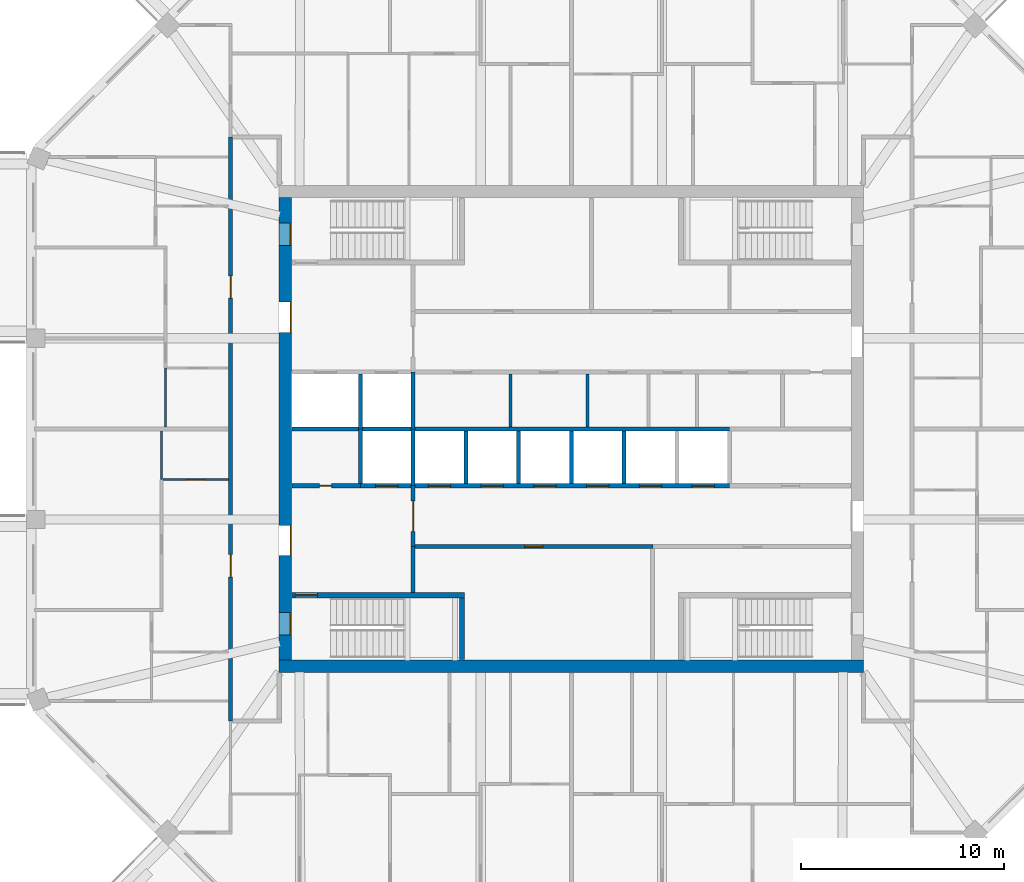
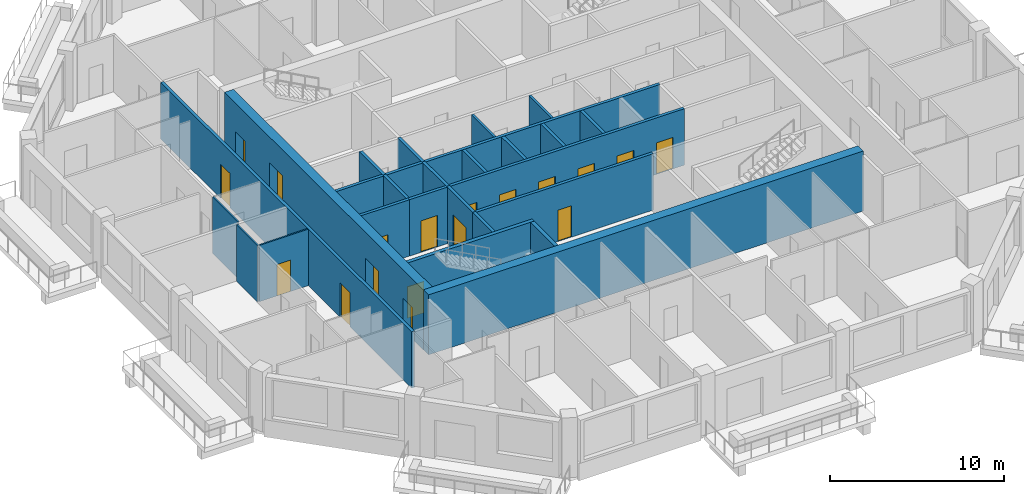
# One storey, part 4 of 12: 24 walls, 18 doors, 18 openings.
"""IFC4 building model written with IfcOpenShell, lengths in metres."""

import ifcopenshell
import ifcopenshell.guid

model = None  # the IFC model being written
_history = None  # IfcOwnerHistory: only IFC2X3 demands one
_inside = {}  # id of a spatial element -> (the spatial element, [elements in it])
_under = {}  # id of a project, library or spatial element -> (it, [spatial elements below it])
_declared = {}  # id of a project -> (the project, [libraries it declares])
_typed = {}  # id of a type object -> (the type object, [elements of that type])
_made_of = {}  # id of a material, layer set ... -> (it, [elements and type objects made of it])


def new_model(schema):
    """Start an empty IFC model of exactly this schema.

    Asked for "IFC4X3", IfcOpenShell would pick the latest addendum, in which some entities
    have other attributes; the version numbers below select the first issue.
    IFC2X3 requires an IfcOwnerHistory on every rooted entity: one is made here for all.
    """
    global model, _history
    if schema == "IFC4X3":
        model = ifcopenshell.file(schema_version=(4, 3, 0, 0))
    else:
        model = ifcopenshell.file(schema=schema)
    _inside.clear()
    _under.clear()
    _declared.clear()
    _typed.clear()
    _made_of.clear()
    _history = None
    if model.schema == "IFC2X3":
        org = make("IfcOrganization", Name="unknown")
        user = make(
            "IfcPersonAndOrganization",
            ThePerson=make("IfcPerson", FamilyName="unknown"),
            TheOrganization=org,
        )
        app = make(
            "IfcApplication",
            ApplicationDeveloper=org,
            Version="unknown",
            ApplicationFullName="unknown",
            ApplicationIdentifier="unknown",
        )
        _history = make(
            "IfcOwnerHistory",
            OwningUser=user,
            OwningApplication=app,
            ChangeAction="ADDED",
            CreationDate=0,
        )
    return model


def make(cls, **values):
    """One entity of the class cls with the attributes given. An attribute that is None is left unset."""
    return model.create_entity(
        cls, **{name: value for name, value in values.items() if value is not None}
    )


def rooted(cls, **values):
    """An entity with a GlobalId (a new one), such as an element, a storey or a relation."""
    return make(cls, GlobalId=ifcopenshell.guid.new(), OwnerHistory=_history, **values)


def si_unit(unit_type, name, prefix=None):
    """IfcSIUnit, for example si_unit("LENGTHUNIT", "METRE", prefix="MILLI")."""
    return make("IfcSIUnit", UnitType=unit_type, Prefix=prefix, Name=name)


def assignment(units):
    """IfcUnitAssignment: the units of a project."""
    return None if units is None else make("IfcUnitAssignment", Units=units)


def point(xyz):
    """IfcCartesianPoint."""
    return None if xyz is None else make("IfcCartesianPoint", Coordinates=xyz)


def direction(xyz):
    """IfcDirection."""
    return None if xyz is None else make("IfcDirection", DirectionRatios=xyz)


def frame(location, z_axis=None, x_axis=None):
    """IfcAxis2Placement3D, a coordinate frame: its origin and axes. An axis left out is left unset."""
    return make(
        "IfcAxis2Placement3D",
        Location=point(location),
        Axis=direction(z_axis),
        RefDirection=direction(x_axis),
    )


def frame_2d(location, x_axis=None):
    """IfcAxis2Placement2D, a coordinate frame in the plane: its origin and x axis."""
    return make(
        "IfcAxis2Placement2D", Location=point(location), RefDirection=direction(x_axis)
    )


def origin():
    """The frame at (0, 0, 0) with its axes left unset."""
    return frame((0.0, 0.0, 0.0))


def place(relative_to, where):
    """IfcLocalPlacement: puts the frame where relative to a parent placement (None: the world)."""
    return make(
        "IfcLocalPlacement", PlacementRelTo=relative_to, RelativePlacement=where
    )


def context(
    kind, dimensions, precision=None, world=None, true_north=None, identifier=None
):
    """IfcGeometricRepresentationContext, for example the 3D "Model" context."""
    return make(
        "IfcGeometricRepresentationContext",
        ContextIdentifier=identifier,
        ContextType=kind,
        CoordinateSpaceDimension=dimensions,
        Precision=precision,
        WorldCoordinateSystem=world,
        TrueNorth=true_north,
    )


def subcontext(parent, identifier, kind, view, scale=None):
    """IfcGeometricRepresentationSubContext, for example "Body" below "Model"."""
    return make(
        "IfcGeometricRepresentationSubContext",
        ContextIdentifier=identifier,
        ContextType=kind,
        ParentContext=parent,
        TargetScale=scale,
        TargetView=view,
    )


def project(units=None, contexts=None):
    """IfcProject with its units and contexts."""
    return rooted(
        "IfcProject",
        Name="project",
        RepresentationContexts=contexts,
        UnitsInContext=assignment(units),
    )


def spatial(cls, under=None, at=None, **own):
    """A site, building, storey or space (cls), placed at a placement, below another one or the project."""
    s = rooted(cls, ObjectPlacement=at, **own)
    if under is not None:
        _under.setdefault(under.id(), (under, []))[1].append(s)
    return s


def profile(cls, at=None, kind="AREA", **sizes):
    """A parametric profile (cls). Its sizes go by their IFC names, for example OverallWidth=200.0."""
    return make(cls, ProfileType=kind, Position=at, **sizes)


def rectangle(**sizes):
    """IfcRectangleProfileDef."""
    return profile("IfcRectangleProfileDef", **sizes)


def extrude(swept, where, along, depth):
    """IfcExtrudedAreaSolid: the profile swept, set in the frame where, extruded along a direction by depth."""
    return make(
        "IfcExtrudedAreaSolid",
        SweptArea=swept,
        Position=where,
        ExtrudedDirection=direction(along),
        Depth=depth,
    )


def shape(context_of_items, identifier, shape_type, items):
    """IfcShapeRepresentation: the items that make up one representation, for example the "Body"."""
    return make(
        "IfcShapeRepresentation",
        ContextOfItems=context_of_items,
        RepresentationIdentifier=identifier,
        RepresentationType=shape_type,
        Items=items,
    )


def material(Name=None, Category=None):
    """IfcMaterial."""
    return make("IfcMaterial", Name=Name, Category=Category)


def layer(
    of_material, thickness, ventilated=None, Name=None, Category=None, Priority=None
):
    """IfcMaterialLayer: one layer of a wall or slab, of a material (None: an air gap)."""
    return make(
        "IfcMaterialLayer",
        Material=of_material,
        LayerThickness=thickness,
        IsVentilated=ventilated,
        Name=Name,
        Category=Category,
        Priority=Priority,
    )


def layer_set(layers, Name=None):
    """IfcMaterialLayerSet."""
    return make("IfcMaterialLayerSet", MaterialLayers=layers, LayerSetName=Name)


def made_of(thing, what):
    """Note that an element or type object is made of a material, layer set ...; save() writes the relation."""
    if what is not None:
        _made_of.setdefault(what.id(), (what, []))[1].append(thing)
    return thing


def type_object(cls, material=None, **own):
    """A type object (cls), such as IfcWallType, which elements share."""
    return made_of(rooted(cls, **own), material)


def element(
    cls,
    number,
    at=None,
    inside=None,
    cuts=None,
    type_object=None,
    material=None,
    context=None,
    identifier="Body",
    shape_type=None,
    held_by="IfcProductDefinitionShape",
    body=None,
    shapes=None,
    **own,
):
    """One element of the class cls, such as IfcWall. Its Tag is "e" and its number.

    at: its placement. inside: the storey or other place that contains it. cuts: it is an
    opening in that element (IfcRelVoidsElement). A single representation is given by context,
    identifier, shape_type and body (its items); several are given by shapes. held_by: the class
    of the entity that holds the representations. save() writes the other relations.
    """
    e = rooted(cls, Tag="e%d" % number, ObjectPlacement=at, **own)
    if body is not None:
        shapes = [shape(context, identifier, shape_type, body)]
    if shapes is not None:
        e.Representation = make(held_by, Representations=shapes)
    if inside is not None:
        _inside.setdefault(inside.id(), (inside, []))[1].append(e)
    if cuts is not None:
        rooted(
            "IfcRelVoidsElement", RelatingBuildingElement=cuts, RelatedOpeningElement=e
        )
    if type_object is not None:
        _typed.setdefault(type_object.id(), (type_object, []))[1].append(e)
    return made_of(e, material)


def fill(opening, filler):
    """IfcRelFillsElement: the door or window that sits in an opening."""
    return rooted(
        "IfcRelFillsElement",
        RelatingOpeningElement=opening,
        RelatedBuildingElement=filler,
    )


def aggregate(whole, parts):
    """IfcRelAggregates: a whole, such as a stair, and the parts it consists of."""
    return rooted("IfcRelAggregates", RelatingObject=whole, RelatedObjects=parts)


def save(model, path):
    """Write the relations noted so far, then the file.

    IfcRelAggregates (storeys below a building ...), IfcRelContainedInSpatialStructure (elements
    in a storey), IfcRelDefinesByType, IfcRelAssociatesMaterial and IfcRelDeclares: one each for
    every whole, place, type object, material and project.
    """
    for whole, parts in _under.values():
        aggregate(whole, parts)
    for where, things in _inside.values():
        rooted(
            "IfcRelContainedInSpatialStructure",
            RelatedElements=things,
            RelatingStructure=where,
        )
    for kind, things in _typed.values():
        rooted("IfcRelDefinesByType", RelatedObjects=things, RelatingType=kind)
    for what, things in _made_of.values():
        rooted("IfcRelAssociatesMaterial", RelatedObjects=things, RelatingMaterial=what)
    for by, libraries in _declared.values():
        rooted("IfcRelDeclares", RelatingContext=by, RelatedDefinitions=libraries)
    model.write(path)


model = new_model("IFC4")

# Units and contexts
model_context = context("Model", 3, precision=1e-05, world=origin(), true_north=direction((0.0, 1.0)))
body_context = subcontext(model_context, "Body", "Model", "MODEL_VIEW")
ifc_project = project(units=[si_unit("LENGTHUNIT", "METRE"), si_unit("AREAUNIT", "SQUARE_METRE"), si_unit("VOLUMEUNIT", "CUBIC_METRE"), si_unit("PLANEANGLEUNIT", "RADIAN"), si_unit("MASSUNIT", "GRAM", prefix="KILO")], contexts=[model_context])

# Site, building, storey
site_placement = place(None, origin())
site = spatial("IfcSite", under=ifc_project, at=site_placement, CompositionType="ELEMENT")
building_placement = place(site_placement, origin())
building = spatial("IfcBuilding", under=site, at=building_placement, Name="Msitu Wima Residences", CompositionType="ELEMENT")
storey_placement = place(building_placement, frame((0.0, 0.0, 272.699951171875)))
storey = spatial("IfcBuildingStorey", under=building, at=storey_placement, Name="L63", CompositionType="ELEMENT", Elevation=272.699951171875)

# Wall
ifc_material_1 = material(Name="Concrete C50/60", Category="concrete")
ifc_layer_1 = layer(ifc_material_1, 0.60009765625)
ifc_layer_set_1 = layer_set([ifc_layer_1], Name="Concrete C50/60")
wall_type_1 = type_object("IfcWallType", Name="Core wall CW600 C50/60", PredefinedType="SHEAR", material=ifc_layer_set_1)
wall_1_placement = place(storey_placement, frame((-14.39990234375, -11.699951171875, 0.0), z_axis=(0.0, 0.0, 1.0), x_axis=(1.0, 0.0, 0.0)))
element("IfcWall", 1, at=wall_1_placement, inside=storey, type_object=wall_type_1, Name="Core wall", PredefinedType="SHEAR", context=body_context, shape_type="SweptSolid", body=[
    extrude(rectangle(XDim=28.7998046875, YDim=0.60009765625, at=frame_2d((14.39990234375, 0.0))), origin(), (0.0, 0.0, 1.0), 4.199951171875),
])

# Wall, openings, doors
wall_2_placement = place(storey_placement, frame((-14.10009765625, -11.39990234375, 0.0), z_axis=(0.0, 0.0, 1.0), x_axis=(0.0, 1.0, 0.0)))
wall_2 = element("IfcWall", 2, at=wall_2_placement, inside=storey, type_object=wall_type_1, Name="Core wall", PredefinedType="SHEAR", context=body_context, shape_type="SweptSolid", body=[
    extrude(rectangle(XDim=22.7998046875, YDim=0.60009765625, at=frame_2d((11.39990234375, 0.0))), origin(), (0.0, 0.0, 1.0), 4.199951171875),
])
opening_1_placement = place(wall_2_placement, frame((20.449951171875, 0.0, 0.0)))
opening_1 = element("IfcOpeningElement", 3, at=opening_1_placement, cuts=wall_2, Name="Opening D63-64.086", PredefinedType="OPENING", context=body_context, shape_type="SweptSolid", body=[
    extrude(rectangle(XDim=1.10009765625, YDim=2.199951171875, at=frame_2d((0.550048828125, 1.10009765625))), frame((0.0, 0.31005859375, 0.0), z_axis=(0.0, -1.0, 0.0), x_axis=(1.0, 0.0, 0.0)), (0.0, 0.0, 1.0), 0.6201171875),
])
opening_2_placement = place(wall_2_placement, frame((1.25, 0.0, 0.0)))
opening_2 = element("IfcOpeningElement", 4, at=opening_2_placement, cuts=wall_2, Name="Opening D63-64.088", PredefinedType="OPENING", context=body_context, shape_type="SweptSolid", body=[
    extrude(rectangle(XDim=1.10009765625, YDim=2.199951171875, at=frame_2d((0.550048828125, 1.10009765625))), frame((0.0, 0.31005859375, 0.0), z_axis=(0.0, -1.0, 0.0), x_axis=(1.0, 0.0, 0.0)), (0.0, 0.0, 1.0), 0.6201171875),
])
opening_3_placement = place(wall_2_placement, frame((16.14990234375, 0.0, 0.0)))
opening_3 = element("IfcOpeningElement", 5, at=opening_3_placement, cuts=wall_2, Name="Opening D63-64.068", PredefinedType="OPENING", context=body_context, shape_type="SweptSolid", body=[
    extrude(rectangle(XDim=1.5, YDim=2.39990234375, at=frame_2d((0.75, 1.199951171875))), frame((0.0, 0.31005859375, 0.0), z_axis=(0.0, -1.0, 0.0), x_axis=(1.0, 0.0, 0.0)), (0.0, 0.0, 1.0), 0.6201171875),
])
opening_4_placement = place(wall_2_placement, frame((5.14990234375, 0.0, 0.0)))
opening_4 = element("IfcOpeningElement", 6, at=opening_4_placement, cuts=wall_2, Name="Opening D63-64.070", PredefinedType="OPENING", context=body_context, shape_type="SweptSolid", body=[
    extrude(rectangle(XDim=1.5, YDim=2.39990234375, at=frame_2d((0.75, 1.199951171875))), frame((0.0, 0.31005859375, 0.0), z_axis=(0.0, -1.0, 0.0), x_axis=(1.0, 0.0, 0.0)), (0.0, 0.0, 1.0), 0.6201171875),
])
ifc_material_2 = material(Name="Steel framed glazed door, fire resisting", Category="steel")
door_type_1 = type_object("IfcDoorType", Name="Lobby door D07 1500x2400", OperationType="DOUBLE_DOOR_SINGLE_SWING", PredefinedType="DOOR", material=ifc_material_2)
door_1_placement = place(opening_3_placement, origin())
door_1 = element("IfcDoor", 7, at=door_1_placement, inside=storey, type_object=door_type_1, Name="Lobby door", OperationType="DOUBLE_DOOR_SINGLE_SWING", OverallHeight=2.39990234375, OverallWidth=1.5, PredefinedType="DOOR", context=body_context, shape_type="SweptSolid", body=[
    extrude(rectangle(XDim=1.5, YDim=2.39990234375, at=frame_2d((0.75, 1.199951171875))), frame((0.0, -0.2451171875, 0.0), z_axis=(0.0, -1.0, 0.0), x_axis=(1.0, 0.0, 0.0)), (0.0, 0.0, 1.0), 0.050048828125),
])
fill(opening_3, door_1)
door_2_placement = place(opening_4_placement, origin())
door_2 = element("IfcDoor", 8, at=door_2_placement, inside=storey, type_object=door_type_1, Name="Lobby door", OperationType="DOUBLE_DOOR_SINGLE_SWING", OverallHeight=2.39990234375, OverallWidth=1.5, PredefinedType="DOOR", context=body_context, shape_type="SweptSolid", body=[
    extrude(rectangle(XDim=1.5, YDim=2.39990234375, at=frame_2d((0.75, 1.199951171875))), frame((0.0, -0.2451171875, 0.0), z_axis=(0.0, -1.0, 0.0), x_axis=(1.0, 0.0, 0.0)), (0.0, 0.0, 1.0), 0.050048828125),
])
fill(opening_4, door_2)
ifc_material_3 = material(Name="Steel door, fire resisting, panic bar", Category="steel")
door_type_2 = type_object("IfcDoorType", Name="Stair door D06 1100x2200", OperationType="SINGLE_SWING_LEFT", PredefinedType="DOOR", material=ifc_material_3)
door_3_placement = place(opening_1_placement, origin())
door_3 = element("IfcDoor", 9, at=door_3_placement, inside=storey, type_object=door_type_2, Name="Stair door", OperationType="SINGLE_SWING_RIGHT", OverallHeight=2.199951171875, OverallWidth=1.10009765625, PredefinedType="DOOR", context=body_context, shape_type="SweptSolid", body=[
    extrude(rectangle(XDim=1.10009765625, YDim=2.199951171875, at=frame_2d((0.550048828125, 1.10009765625))), frame((0.0, -0.2451171875, 0.0), z_axis=(0.0, -1.0, 0.0), x_axis=(1.0, 0.0, 0.0)), (0.0, 0.0, 1.0), 0.050048828125),
])
fill(opening_1, door_3)
door_4_placement = place(opening_2_placement, origin())
door_4 = element("IfcDoor", 10, at=door_4_placement, inside=storey, type_object=door_type_2, Name="Stair door", OperationType="SINGLE_SWING_LEFT", OverallHeight=2.199951171875, OverallWidth=1.10009765625, PredefinedType="DOOR", context=body_context, shape_type="SweptSolid", body=[
    extrude(rectangle(XDim=1.10009765625, YDim=2.199951171875, at=frame_2d((0.550048828125, 1.10009765625))), frame((0.0, -0.2451171875, 0.0), z_axis=(0.0, -1.0, 0.0), x_axis=(1.0, 0.0, 0.0)), (0.0, 0.0, 1.0), 0.050048828125),
])
fill(opening_2, door_4)

ifc_material_4 = material(Name="Plaster")
ifc_layer_2 = layer(ifc_material_4, 0.011962890625, Name="Plaster")
ifc_material_5 = material(Name="Concrete blockwork", Category="masonry")
ifc_layer_3 = layer(ifc_material_5, 0.176025390625, Name="Concrete blockwork")
ifc_layer_4 = layer(ifc_material_4, 0.011962890625, Name="Plaster")
ifc_layer_set_2 = layer_set([ifc_layer_2, ifc_layer_3, ifc_layer_4], Name="Concrete blockwork")
wall_type_2 = type_object("IfcWallType", Name="Corridor wall FW200", PredefinedType="PARTITIONING", material=ifc_layer_set_2)
wall_3_placement = place(storey_placement, frame((-16.800048828125, -14.39990234375, 0.0), z_axis=(0.0, 0.0, 1.0), x_axis=(0.0, 1.0, 0.0)))
wall_3 = element("IfcWall", 11, at=wall_3_placement, inside=storey, type_object=wall_type_2, Name="Corridor wall", PredefinedType="PARTITIONING", context=body_context, shape_type="SweptSolid", body=[
    extrude(rectangle(XDim=28.7998046875, YDim=0.199951171875, at=frame_2d((14.39990234375, 0.0))), origin(), (0.0, 0.0, 1.0), 3.949951171875),
])
opening_5_placement = place(wall_3_placement, frame((20.85009765625, 0.0, 0.0)))
opening_5 = element("IfcOpeningElement", 12, at=opening_5_placement, cuts=wall_3, Name="Opening D63-64.025", PredefinedType="OPENING", context=body_context, shape_type="SweptSolid", body=[
    extrude(rectangle(XDim=1.10009765625, YDim=2.39990234375, at=frame_2d((0.550048828125, 1.199951171875))), frame((0.0, 0.10986328125, 0.0), z_axis=(0.0, -1.0, 0.0), x_axis=(1.0, 0.0, 0.0)), (0.0, 0.0, 1.0), 0.219970703125),
])
opening_6_placement = place(wall_3_placement, frame((7.10009765625, 0.0, 0.0)))
opening_6 = element("IfcOpeningElement", 13, at=opening_6_placement, cuts=wall_3, Name="Opening D63-64.039", PredefinedType="OPENING", context=body_context, shape_type="SweptSolid", body=[
    extrude(rectangle(XDim=1.10009765625, YDim=2.39990234375, at=frame_2d((0.550048828125, 1.199951171875))), frame((0.0, 0.10986328125, 0.0), z_axis=(0.0, -1.0, 0.0), x_axis=(1.0, 0.0, 0.0)), (0.0, 0.0, 1.0), 0.219970703125),
])
ifc_material_6 = material(Name="Timber flush door, fire resisting, self-closing", Category="wood")
door_type_3 = type_object("IfcDoorType", Name="Flat entrance door D01 1100x2400", OperationType="SINGLE_SWING_LEFT", PredefinedType="DOOR", material=ifc_material_6)
door_5_placement = place(opening_5_placement, origin())
door_5 = element("IfcDoor", 14, at=door_5_placement, inside=storey, type_object=door_type_3, Name="Flat entrance door", OperationType="SINGLE_SWING_RIGHT", OverallHeight=2.39990234375, OverallWidth=1.10009765625, PredefinedType="DOOR", context=body_context, shape_type="SweptSolid", body=[
    extrude(rectangle(XDim=1.10009765625, YDim=2.39990234375, at=frame_2d((0.550048828125, 1.199951171875))), frame((0.0, 0.02490234375, 0.0), z_axis=(0.0, -1.0, 0.0), x_axis=(1.0, 0.0, 0.0)), (0.0, 0.0, 1.0), 0.050048828125),
])
fill(opening_5, door_5)
door_6_placement = place(opening_6_placement, origin())
door_6 = element("IfcDoor", 15, at=door_6_placement, inside=storey, type_object=door_type_3, Name="Flat entrance door", OperationType="SINGLE_SWING_LEFT", OverallHeight=2.39990234375, OverallWidth=1.10009765625, PredefinedType="DOOR", context=body_context, shape_type="SweptSolid", body=[
    extrude(rectangle(XDim=1.10009765625, YDim=2.39990234375, at=frame_2d((0.550048828125, 1.199951171875))), frame((0.0, 0.02490234375, 0.0), z_axis=(0.0, -1.0, 0.0), x_axis=(1.0, 0.0, 0.0)), (0.0, 0.0, 1.0), 0.050048828125),
])
fill(opening_6, door_6)

# Wall, opening, door
wall_4_placement = place(storey_placement, frame((-7.800048828125, -5.800048828125, 0.0), z_axis=(0.0, 0.0, 1.0), x_axis=(0.0, 1.0, 0.0)))
wall_4 = element("IfcWall", 16, at=wall_4_placement, inside=storey, type_object=wall_type_2, Name="Corridor wall", PredefinedType="PARTITIONING", context=body_context, shape_type="SweptSolid", body=[
    extrude(rectangle(XDim=3.0, YDim=0.199951171875, at=frame_2d((1.5, 0.0))), origin(), (0.0, 0.0, 1.0), 3.949951171875),
])
opening_7_placement = place(wall_4_placement, frame((0.75, 0.0, 0.0)))
opening_7 = element("IfcOpeningElement", 17, at=opening_7_placement, cuts=wall_4, Name="Opening D63-64.071", PredefinedType="OPENING", context=body_context, shape_type="SweptSolid", body=[
    extrude(rectangle(XDim=1.5, YDim=2.39990234375, at=frame_2d((0.75, 1.199951171875))), frame((0.0, 0.10986328125, 0.0), z_axis=(0.0, -1.0, 0.0), x_axis=(1.0, 0.0, 0.0)), (0.0, 0.0, 1.0), 0.219970703125),
])
door_7_placement = place(opening_7_placement, origin())
door_7 = element("IfcDoor", 18, at=door_7_placement, inside=storey, type_object=door_type_1, Name="Lobby door", OperationType="DOUBLE_DOOR_SINGLE_SWING", OverallHeight=2.39990234375, OverallWidth=1.5, PredefinedType="DOOR", context=body_context, shape_type="SweptSolid", body=[
    extrude(rectangle(XDim=1.5, YDim=2.39990234375, at=frame_2d((0.75, 1.199951171875))), frame((0.0, 0.02490234375, 0.0), z_axis=(0.0, -1.0, 0.0), x_axis=(1.0, 0.0, 0.0)), (0.0, 0.0, 1.0), 0.050048828125),
])
fill(opening_7, door_7)

# Walls
ifc_layer_5 = layer(ifc_material_4, 0.011962890625, Name="Plaster")
ifc_layer_6 = layer(ifc_material_5, 0.1259765625, Name="Concrete blockwork")
ifc_layer_7 = layer(ifc_material_4, 0.011962890625, Name="Plaster")
ifc_layer_set_3 = layer_set([ifc_layer_5, ifc_layer_6, ifc_layer_7], Name="Concrete blockwork")
wall_type_3 = type_object("IfcWallType", Name="Partition PW150", PredefinedType="PARTITIONING", material=ifc_layer_set_3)
for number, where, z_axis, x_axis, name in (
    (19, (-3.0, 0.10009765625, 0.0), (0.0, 0.0, 1.0), (0.0, 1.0, 0.0), "Partition"),
    (20, (0.800048828125, 0.10009765625, 0.0), (0.0, 0.0, 1.0), (0.0, 1.0, 0.0), "Partition"),
):
    element("IfcWall", number, at=place(storey_placement, frame(where, z_axis=z_axis, x_axis=x_axis)), inside=storey, type_object=wall_type_3, Name=name, PredefinedType="PARTITIONING", context=body_context, shape_type="SweptSolid", body=[
        extrude(rectangle(XDim=2.599853515625, YDim=0.14990234375, at=frame_2d((1.2998046875, 0.0))), origin(), (0.0, 0.0, 1.0), 3.949951171875),
    ])

# Wall, opening, door
ifc_layer_8 = layer(ifc_material_4, 0.011962890625, Name="Plaster")
ifc_material_7 = material(Name="Reinforced concrete blockwork", Category="masonry")
ifc_layer_9 = layer(ifc_material_7, 0.176025390625, Name="Reinforced concrete blockwork")
ifc_layer_10 = layer(ifc_material_4, 0.011962890625, Name="Plaster")
ifc_layer_set_4 = layer_set([ifc_layer_8, ifc_layer_9, ifc_layer_10], Name="Reinforced concrete blockwork")
wall_type_4 = type_object("IfcWallType", Name="Plant and riser wall PL200", PredefinedType="PARTITIONING", material=ifc_layer_set_4)
wall_5_placement = place(storey_placement, frame((-13.77001953125, -2.800048828125, 0.0), z_axis=(0.0, 0.0, 1.0), x_axis=(1.0, 0.0, 0.0)))
wall_5 = element("IfcWall", 21, at=wall_5_placement, inside=storey, type_object=wall_type_4, Name="Plant and riser wall", PredefinedType="PARTITIONING", context=body_context, shape_type="SweptSolid", body=[
    extrude(rectangle(XDim=3.3701171875, YDim=0.199951171875, at=frame_2d((1.68505859375, 0.0))), origin(), (0.0, 0.0, 1.0), 3.949951171875),
])
opening_8_placement = place(wall_5_placement, frame((1.35009765625, 0.0, 0.0)))
opening_8 = element("IfcOpeningElement", 22, at=opening_8_placement, cuts=wall_5, Name="Opening D63-64.085", PredefinedType="OPENING", context=body_context, shape_type="SweptSolid", body=[
    extrude(rectangle(XDim=0.60009765625, YDim=2.0, at=frame_2d((0.300048828125, 1.0))), frame((0.0, 0.10986328125, 0.0), z_axis=(0.0, -1.0, 0.0), x_axis=(1.0, 0.0, 0.0)), (0.0, 0.0, 1.0), 0.219970703125),
])
ifc_material_8 = material(Name="Steel access door, fire resisting", Category="steel")
door_type_4 = type_object("IfcDoorType", Name="Riser access door D08 600x2000", OperationType="SINGLE_SWING_LEFT", PredefinedType="DOOR", material=ifc_material_8)
door_8_placement = place(opening_8_placement, origin())
door_8 = element("IfcDoor", 23, at=door_8_placement, inside=storey, type_object=door_type_4, Name="Riser access door", OperationType="SINGLE_SWING_RIGHT", OverallHeight=2.0, OverallWidth=0.60009765625, PredefinedType="DOOR", context=body_context, shape_type="SweptSolid", body=[
    extrude(rectangle(XDim=0.60009765625, YDim=2.0, at=frame_2d((0.300048828125, 1.0))), frame((0.0, 0.02490234375, 0.0), z_axis=(0.0, -1.0, 0.0), x_axis=(1.0, 0.0, 0.0)), (0.0, 0.0, 1.0), 0.050048828125),
])
fill(opening_8, door_8)

# Wall
wall_6_placement = place(storey_placement, frame((-7.800048828125, -8.074951171875, 0.0), z_axis=(0.0, 0.0, 1.0), x_axis=(0.0, 1.0, 0.0)))
element("IfcWall", 24, at=wall_6_placement, inside=storey, type_object=wall_type_4, Name="Plant and riser wall", PredefinedType="PARTITIONING", context=body_context, shape_type="SweptSolid", body=[
    extrude(rectangle(XDim=2.27490234375, YDim=0.199951171875, at=frame_2d((1.137451171875, 0.0))), origin(), (0.0, 0.0, 1.0), 3.949951171875),
])

# Wall, opening, door
wall_7_placement = place(storey_placement, frame((-7.699951171875, -5.800048828125, 0.0), z_axis=(0.0, 0.0, 1.0), x_axis=(1.0, 0.0, 0.0)))
wall_7 = element("IfcWall", 25, at=wall_7_placement, inside=storey, type_object=wall_type_4, Name="Plant and riser wall", PredefinedType="PARTITIONING", context=body_context, shape_type="SweptSolid", body=[
    extrude(rectangle(XDim=11.719970703125, YDim=0.199951171875, at=frame_2d((5.85986328125, 0.0))), origin(), (0.0, 0.0, 1.0), 3.949951171875),
])
opening_9_placement = place(wall_7_placement, frame((5.39990234375, 0.0, 0.0)))
opening_9 = element("IfcOpeningElement", 26, at=opening_9_placement, cuts=wall_7, Name="Opening D63-64.075", PredefinedType="OPENING", context=body_context, shape_type="SweptSolid", body=[
    extrude(rectangle(XDim=0.89990234375, YDim=2.199951171875, at=frame_2d((0.449951171875, 1.10009765625))), frame((0.0, 0.10986328125, 0.0), z_axis=(0.0, -1.0, 0.0), x_axis=(1.0, 0.0, 0.0)), (0.0, 0.0, 1.0), 0.219970703125),
])
ifc_material_9 = material(Name="Timber flush door", Category="wood")
door_type_5 = type_object("IfcDoorType", Name="Service door D05 900x2200", OperationType="SINGLE_SWING_LEFT", PredefinedType="DOOR", material=ifc_material_9)
door_9_placement = place(opening_9_placement, origin())
door_9 = element("IfcDoor", 27, at=door_9_placement, inside=storey, type_object=door_type_5, Name="Service door", OperationType="SINGLE_SWING_RIGHT", OverallHeight=2.199951171875, OverallWidth=0.89990234375, PredefinedType="DOOR", context=body_context, shape_type="SweptSolid", body=[
    extrude(rectangle(XDim=0.89990234375, YDim=2.199951171875, at=frame_2d((0.449951171875, 1.10009765625))), frame((0.0, 0.02490234375, 0.0), z_axis=(0.0, -1.0, 0.0), x_axis=(1.0, 0.0, 0.0)), (0.0, 0.0, 1.0), 0.050048828125),
])
fill(opening_9, door_9)

# Walls
ifc_material_10 = material(Name="Fire-rated board")
ifc_layer_11 = layer(ifc_material_10, 0.02490234375, Name="Fire-rated board")
ifc_material_11 = material(Name="Light-gauge stud framing with mineral wool")
ifc_layer_12 = layer(ifc_material_11, 0.14990234375, Name="Light-gauge stud framing with mineral wool")
ifc_layer_13 = layer(ifc_material_10, 0.02490234375, Name="Fire-rated board")
ifc_layer_set_5 = layer_set([ifc_layer_11, ifc_layer_12, ifc_layer_13], Name="Light-gauge stud framing with mineral wool")
wall_type_5 = type_object("IfcWallType", Name="Shaft wall SH200", PredefinedType="PARTITIONING", material=ifc_layer_set_5)
wall_8_placement = place(storey_placement, frame((-13.77001953125, 0.0, 0.0), z_axis=(0.0, 0.0, 1.0), x_axis=(1.0, 0.0, 0.0)))
element("IfcWall", 28, at=wall_8_placement, inside=storey, type_object=wall_type_5, Name="Shaft wall", PredefinedType="PARTITIONING", context=body_context, shape_type="SweptSolid", body=[
    extrude(rectangle(XDim=21.570068359375, YDim=0.199951171875, at=frame_2d((10.78515625, 0.0))), origin(), (0.0, 0.0, 1.0), 3.949951171875),
])
wall_9_placement = place(storey_placement, frame((-10.39990234375, -2.699951171875, 0.0), z_axis=(0.0, 0.0, 1.0), x_axis=(0.0, 1.0, 0.0)))
element("IfcWall", 29, at=wall_9_placement, inside=storey, type_object=wall_type_5, Name="Shaft wall", PredefinedType="PARTITIONING", context=body_context, shape_type="SweptSolid", body=[
    extrude(rectangle(XDim=2.699951171875, YDim=0.199951171875, at=frame_2d((1.35009765625, 0.0))), origin(), (0.0, 0.0, 1.0), 3.949951171875),
])

# Wall, openings, doors
wall_10_placement = place(storey_placement, frame((-10.39990234375, -2.800048828125, 0.0), z_axis=(0.0, 0.0, 1.0), x_axis=(1.0, 0.0, 0.0)))
wall_10 = element("IfcWall", 30, at=wall_10_placement, inside=storey, type_object=wall_type_5, Name="Shaft wall", PredefinedType="PARTITIONING", context=body_context, shape_type="SweptSolid", body=[
    extrude(rectangle(XDim=18.199951171875, YDim=0.199951171875, at=frame_2d((9.10009765625, 0.0))), origin(), (0.0, 0.0, 1.0), 3.949951171875),
])
opening_10_placement = place(wall_10_placement, frame((0.75, 0.0, 0.0)))
opening_10 = element("IfcOpeningElement", 31, at=opening_10_placement, cuts=wall_10, Name="Opening LD", PredefinedType="OPENING", context=body_context, shape_type="SweptSolid", body=[
    extrude(rectangle(XDim=1.10009765625, YDim=2.199951171875, at=frame_2d((0.550048828125, 1.10009765625))), frame((0.0, 0.10986328125, 0.0), z_axis=(0.0, -1.0, 0.0), x_axis=(1.0, 0.0, 0.0)), (0.0, 0.0, 1.0), 0.219970703125),
])
opening_11_placement = place(wall_10_placement, frame((3.35009765625, 0.0, 0.0)))
opening_11 = element("IfcOpeningElement", 32, at=opening_11_placement, cuts=wall_10, Name="Opening LD", PredefinedType="OPENING", context=body_context, shape_type="SweptSolid", body=[
    extrude(rectangle(XDim=1.10009765625, YDim=2.199951171875, at=frame_2d((0.550048828125, 1.10009765625))), frame((0.0, 0.10986328125, 0.0), z_axis=(0.0, -1.0, 0.0), x_axis=(1.0, 0.0, 0.0)), (0.0, 0.0, 1.0), 0.219970703125),
])
opening_12_placement = place(wall_10_placement, frame((5.949951171875, 0.0, 0.0)))
opening_12 = element("IfcOpeningElement", 33, at=opening_12_placement, cuts=wall_10, Name="Opening LD", PredefinedType="OPENING", context=body_context, shape_type="SweptSolid", body=[
    extrude(rectangle(XDim=1.10009765625, YDim=2.199951171875, at=frame_2d((0.550048828125, 1.10009765625))), frame((0.0, 0.10986328125, 0.0), z_axis=(0.0, -1.0, 0.0), x_axis=(1.0, 0.0, 0.0)), (0.0, 0.0, 1.0), 0.219970703125),
])
opening_13_placement = place(wall_10_placement, frame((8.550048828125, 0.0, 0.0)))
opening_13 = element("IfcOpeningElement", 34, at=opening_13_placement, cuts=wall_10, Name="Opening LD", PredefinedType="OPENING", context=body_context, shape_type="SweptSolid", body=[
    extrude(rectangle(XDim=1.10009765625, YDim=2.199951171875, at=frame_2d((0.550048828125, 1.10009765625))), frame((0.0, 0.10986328125, 0.0), z_axis=(0.0, -1.0, 0.0), x_axis=(1.0, 0.0, 0.0)), (0.0, 0.0, 1.0), 0.219970703125),
])
opening_14_placement = place(wall_10_placement, frame((11.14990234375, 0.0, 0.0)))
opening_14 = element("IfcOpeningElement", 35, at=opening_14_placement, cuts=wall_10, Name="Opening LD", PredefinedType="OPENING", context=body_context, shape_type="SweptSolid", body=[
    extrude(rectangle(XDim=1.10009765625, YDim=2.199951171875, at=frame_2d((0.550048828125, 1.10009765625))), frame((0.0, 0.10986328125, 0.0), z_axis=(0.0, -1.0, 0.0), x_axis=(1.0, 0.0, 0.0)), (0.0, 0.0, 1.0), 0.219970703125),
])
opening_15_placement = place(wall_10_placement, frame((13.75, 0.0, 0.0)))
opening_15 = element("IfcOpeningElement", 36, at=opening_15_placement, cuts=wall_10, Name="Opening LD", PredefinedType="OPENING", context=body_context, shape_type="SweptSolid", body=[
    extrude(rectangle(XDim=1.10009765625, YDim=2.199951171875, at=frame_2d((0.550048828125, 1.10009765625))), frame((0.0, 0.10986328125, 0.0), z_axis=(0.0, -1.0, 0.0), x_axis=(1.0, 0.0, 0.0)), (0.0, 0.0, 1.0), 0.219970703125),
])
opening_16_placement = place(wall_10_placement, frame((16.35009765625, 0.0, 0.0)))
opening_16 = element("IfcOpeningElement", 37, at=opening_16_placement, cuts=wall_10, Name="Opening LD", PredefinedType="OPENING", context=body_context, shape_type="SweptSolid", body=[
    extrude(rectangle(XDim=1.10009765625, YDim=2.199951171875, at=frame_2d((0.550048828125, 1.10009765625))), frame((0.0, 0.10986328125, 0.0), z_axis=(0.0, -1.0, 0.0), x_axis=(1.0, 0.0, 0.0)), (0.0, 0.0, 1.0), 0.219970703125),
])
ifc_material_12 = material(Name="Stainless steel centre-opening landing door, rated", Category="steel")
door_type_6 = type_object("IfcDoorType", Name="Lift landing door LD 1100x2200", OperationType="DOUBLE_DOOR_SLIDING", PredefinedType="DOOR", material=ifc_material_12)
door_10_placement = place(opening_10_placement, origin())
door_10 = element("IfcDoor", 38, at=door_10_placement, inside=storey, type_object=door_type_6, Name="Lift landing door LD3", OperationType="DOUBLE_DOOR_SLIDING", OverallHeight=2.199951171875, OverallWidth=1.10009765625, PredefinedType="DOOR", context=body_context, shape_type="SweptSolid", body=[
    extrude(rectangle(XDim=1.10009765625, YDim=2.199951171875, at=frame_2d((0.550048828125, 1.10009765625))), frame((0.0, 0.02490234375, 0.0), z_axis=(0.0, -1.0, 0.0), x_axis=(1.0, 0.0, 0.0)), (0.0, 0.0, 1.0), 0.050048828125),
])
fill(opening_10, door_10)
door_11_placement = place(opening_11_placement, origin())
door_11 = element("IfcDoor", 39, at=door_11_placement, inside=storey, type_object=door_type_6, Name="Lift landing door LD5", OperationType="DOUBLE_DOOR_SLIDING", OverallHeight=2.199951171875, OverallWidth=1.10009765625, PredefinedType="DOOR", context=body_context, shape_type="SweptSolid", body=[
    extrude(rectangle(XDim=1.10009765625, YDim=2.199951171875, at=frame_2d((0.550048828125, 1.10009765625))), frame((0.0, 0.02490234375, 0.0), z_axis=(0.0, -1.0, 0.0), x_axis=(1.0, 0.0, 0.0)), (0.0, 0.0, 1.0), 0.050048828125),
])
fill(opening_11, door_11)
door_12_placement = place(opening_12_placement, origin())
door_12 = element("IfcDoor", 40, at=door_12_placement, inside=storey, type_object=door_type_6, Name="Lift landing door LD7", OperationType="DOUBLE_DOOR_SLIDING", OverallHeight=2.199951171875, OverallWidth=1.10009765625, PredefinedType="DOOR", context=body_context, shape_type="SweptSolid", body=[
    extrude(rectangle(XDim=1.10009765625, YDim=2.199951171875, at=frame_2d((0.550048828125, 1.10009765625))), frame((0.0, 0.02490234375, 0.0), z_axis=(0.0, -1.0, 0.0), x_axis=(1.0, 0.0, 0.0)), (0.0, 0.0, 1.0), 0.050048828125),
])
fill(opening_12, door_12)
door_13_placement = place(opening_13_placement, origin())
door_13 = element("IfcDoor", 41, at=door_13_placement, inside=storey, type_object=door_type_6, Name="Lift landing door LD9", OperationType="DOUBLE_DOOR_SLIDING", OverallHeight=2.199951171875, OverallWidth=1.10009765625, PredefinedType="DOOR", context=body_context, shape_type="SweptSolid", body=[
    extrude(rectangle(XDim=1.10009765625, YDim=2.199951171875, at=frame_2d((0.550048828125, 1.10009765625))), frame((0.0, 0.02490234375, 0.0), z_axis=(0.0, -1.0, 0.0), x_axis=(1.0, 0.0, 0.0)), (0.0, 0.0, 1.0), 0.050048828125),
])
fill(opening_13, door_13)
door_14_placement = place(opening_14_placement, origin())
door_14 = element("IfcDoor", 42, at=door_14_placement, inside=storey, type_object=door_type_6, Name="Lift landing door LD11", OperationType="DOUBLE_DOOR_SLIDING", OverallHeight=2.199951171875, OverallWidth=1.10009765625, PredefinedType="DOOR", context=body_context, shape_type="SweptSolid", body=[
    extrude(rectangle(XDim=1.10009765625, YDim=2.199951171875, at=frame_2d((0.550048828125, 1.10009765625))), frame((0.0, 0.02490234375, 0.0), z_axis=(0.0, -1.0, 0.0), x_axis=(1.0, 0.0, 0.0)), (0.0, 0.0, 1.0), 0.050048828125),
])
fill(opening_14, door_14)
door_15_placement = place(opening_15_placement, origin())
door_15 = element("IfcDoor", 43, at=door_15_placement, inside=storey, type_object=door_type_6, Name="Lift landing door LD13", OperationType="DOUBLE_DOOR_SLIDING", OverallHeight=2.199951171875, OverallWidth=1.10009765625, PredefinedType="DOOR", context=body_context, shape_type="SweptSolid", body=[
    extrude(rectangle(XDim=1.10009765625, YDim=2.199951171875, at=frame_2d((0.550048828125, 1.10009765625))), frame((0.0, 0.02490234375, 0.0), z_axis=(0.0, -1.0, 0.0), x_axis=(1.0, 0.0, 0.0)), (0.0, 0.0, 1.0), 0.050048828125),
])
fill(opening_15, door_15)
door_16_placement = place(opening_16_placement, origin())
door_16 = element("IfcDoor", 44, at=door_16_placement, inside=storey, type_object=door_type_6, Name="Lift landing door LD15", OperationType="DOUBLE_DOOR_SLIDING", OverallHeight=2.199951171875, OverallWidth=1.10009765625, PredefinedType="DOOR", context=body_context, shape_type="SweptSolid", body=[
    extrude(rectangle(XDim=1.10009765625, YDim=2.199951171875, at=frame_2d((0.550048828125, 1.10009765625))), frame((0.0, 0.02490234375, 0.0), z_axis=(0.0, -1.0, 0.0), x_axis=(1.0, 0.0, 0.0)), (0.0, 0.0, 1.0), 0.050048828125),
])
fill(opening_16, door_16)

# Walls
wall_11_placement = place(storey_placement, frame((-10.39990234375, 0.0, 0.0), z_axis=(0.0, 0.0, 1.0), x_axis=(0.0, 1.0, 0.0)))
element("IfcWall", 45, at=wall_11_placement, inside=storey, type_object=wall_type_5, Name="Shaft wall", PredefinedType="PARTITIONING", context=body_context, shape_type="SweptSolid", body=[
    extrude(rectangle(XDim=2.699951171875, YDim=0.199951171875, at=frame_2d((1.35009765625, 0.0))), origin(), (0.0, 0.0, 1.0), 3.949951171875),
])
for number, where, z_axis, x_axis, name in (
    (46, (-7.800048828125, -2.800048828125, 0.0), (0.0, 0.0, 1.0), (0.0, 1.0, 0.0), "Shaft wall"),
    (47, (-7.800048828125, 0.0, 0.0), (0.0, 0.0, 1.0), (0.0, 1.0, 0.0), "Shaft wall"),
):
    element("IfcWall", number, at=place(storey_placement, frame(where, z_axis=z_axis, x_axis=x_axis)), inside=storey, type_object=wall_type_5, Name=name, PredefinedType="PARTITIONING", context=body_context, shape_type="SweptSolid", body=[
        extrude(rectangle(XDim=2.800048828125, YDim=0.199951171875, at=frame_2d((1.39990234375, 0.0))), origin(), (0.0, 0.0, 1.0), 3.949951171875),
    ])
for number, where, z_axis, x_axis, name in (
    (48, (-5.199951171875, -2.699951171875, 0.0), (0.0, 0.0, 1.0), (0.0, 1.0, 0.0), "Shaft wall"),
    (49, (-2.60009765625, -2.699951171875, 0.0), (0.0, 0.0, 1.0), (0.0, 1.0, 0.0), "Shaft wall"),
    (50, (0.0, -2.699951171875, 0.0), (0.0, 0.0, 1.0), (0.0, 1.0, 0.0), "Shaft wall"),
    (51, (2.60009765625, -2.699951171875, 0.0), (0.0, 0.0, 1.0), (0.0, 1.0, 0.0), "Shaft wall"),
):
    element("IfcWall", number, at=place(storey_placement, frame(where, z_axis=z_axis, x_axis=x_axis)), inside=storey, type_object=wall_type_5, Name=name, PredefinedType="PARTITIONING", context=body_context, shape_type="SweptSolid", body=[
        extrude(rectangle(XDim=2.599853515625, YDim=0.199951171875, at=frame_2d((1.2998046875, 0.0))), origin(), (0.0, 0.0, 1.0), 3.949951171875),
    ])

# Wall, opening, door
ifc_layer_14 = layer(ifc_material_1, 0.25)
ifc_layer_set_6 = layer_set([ifc_layer_14], Name="Concrete C50/60")
wall_type_6 = type_object("IfcWallType", Name="Stair enclosure wall SW250", PredefinedType="SHEAR", material=ifc_layer_set_6)
wall_12_placement = place(storey_placement, frame((-13.77001953125, -8.199951171875, 0.0), z_axis=(0.0, 0.0, 1.0), x_axis=(1.0, 0.0, 0.0)))
wall_12 = element("IfcWall", 52, at=wall_12_placement, inside=storey, type_object=wall_type_6, Name="Stair enclosure wall", PredefinedType="SHEAR", context=body_context, shape_type="SweptSolid", body=[
    extrude(rectangle(XDim=8.4951171875, YDim=0.25, at=frame_2d((4.24755859375, 0.0))), origin(), (0.0, 0.0, 1.0), 3.949951171875),
])
opening_17_placement = place(wall_12_placement, frame((0.14990234375, 0.0, 0.0)))
opening_17 = element("IfcOpeningElement", 53, at=opening_17_placement, cuts=wall_12, Name="Opening D63-64.089", PredefinedType="OPENING", context=body_context, shape_type="SweptSolid", body=[
    extrude(rectangle(XDim=1.10009765625, YDim=2.199951171875, at=frame_2d((0.550048828125, 1.10009765625))), frame((0.0, 0.135009765625, 0.0), z_axis=(0.0, -1.0, 0.0), x_axis=(1.0, 0.0, 0.0)), (0.0, 0.0, 1.0), 0.27001953125),
])
door_17_placement = place(opening_17_placement, origin())
door_17 = element("IfcDoor", 54, at=door_17_placement, inside=storey, type_object=door_type_2, Name="Stair door", OperationType="SINGLE_SWING_RIGHT", OverallHeight=2.199951171875, OverallWidth=1.10009765625, PredefinedType="DOOR", context=body_context, shape_type="SweptSolid", body=[
    extrude(rectangle(XDim=1.10009765625, YDim=2.199951171875, at=frame_2d((0.550048828125, 1.10009765625))), frame((0.0, 0.02490234375, 0.0), z_axis=(0.0, -1.0, 0.0), x_axis=(1.0, 0.0, 0.0)), (0.0, 0.0, 1.0), 0.050048828125),
])
fill(opening_17, door_17)

# Walls
wall_13_placement = place(storey_placement, frame((-5.39990234375, -11.3701171875, 0.0), z_axis=(0.0, 0.0, 1.0), x_axis=(0.0, 1.0, 0.0)))
element("IfcWall", 55, at=wall_13_placement, inside=storey, type_object=wall_type_6, Name="Stair enclosure wall", PredefinedType="SHEAR", context=body_context, shape_type="SweptSolid", body=[
    extrude(rectangle(XDim=3.045166015625, YDim=0.25, at=frame_2d((1.5224609375, 0.0))), origin(), (0.0, 0.0, 1.0), 3.949951171875),
])
ifc_material_13 = material(Name="Ceramic tiles")
ifc_layer_15 = layer(ifc_material_13, 0.008056640625, Name="Ceramic tiles")
ifc_material_14 = material(Name="Moisture-resistant board")
ifc_layer_16 = layer(ifc_material_14, 0.012451171875, Name="Moisture-resistant board")
ifc_layer_17 = layer(ifc_material_11, 0.06689453125, Name="Light-gauge stud framing with mineral wool")
ifc_layer_18 = layer(ifc_material_14, 0.012451171875, Name="Moisture-resistant board")
ifc_layer_set_7 = layer_set([ifc_layer_15, ifc_layer_16, ifc_layer_17, ifc_layer_18], Name="Light-gauge stud framing with mineral wool")
wall_type_7 = type_object("IfcWallType", Name="Wet wall PW100", PredefinedType="PARTITIONING", material=ifc_layer_set_7)
wall_14_placement = place(storey_placement, frame((-20.199951171875, -2.5, 0.0), z_axis=(0.0, 0.0, 1.0), x_axis=(0.0, 1.0, 0.0)))
element("IfcWall", 56, at=wall_14_placement, inside=storey, type_object=wall_type_7, Name="Wet wall", PredefinedType="PARTITIONING", context=body_context, shape_type="SweptSolid", body=[
    extrude(rectangle(XDim=2.39990234375, YDim=0.10009765625, at=frame_2d((1.199951171875, 0.0))), origin(), (0.0, 0.0, 1.0), 3.949951171875),
])

# Wall, opening, door
wall_15_placement = place(storey_placement, frame((-20.125, -2.5, 0.0), z_axis=(0.0, 0.0, 1.0), x_axis=(1.0, 0.0, 0.0)))
wall_15 = element("IfcWall", 57, at=wall_15_placement, inside=storey, type_object=wall_type_7, Name="Wet wall", PredefinedType="PARTITIONING", context=body_context, shape_type="SweptSolid", body=[
    extrude(rectangle(XDim=3.22509765625, YDim=0.10009765625, at=frame_2d((1.612548828125, 0.0))), origin(), (0.0, 0.0, 1.0), 3.949951171875),
])
opening_18_placement = place(wall_15_placement, frame((1.14990234375, 0.0, 0.0)))
opening_18 = element("IfcOpeningElement", 58, at=opening_18_placement, cuts=wall_15, Name="Opening D63-64.040", PredefinedType="OPENING", context=body_context, shape_type="SweptSolid", body=[
    extrude(rectangle(XDim=0.89990234375, YDim=2.199951171875, at=frame_2d((0.449951171875, 1.10009765625))), frame((0.0, 0.06005859375, 0.0), z_axis=(0.0, -1.0, 0.0), x_axis=(1.0, 0.0, 0.0)), (0.0, 0.0, 1.0), 0.1201171875),
])
ifc_material_15 = material(Name="Timber flush door, moisture resistant", Category="wood")
door_type_7 = type_object("IfcDoorType", Name="Bathroom door D03 900x2200", OperationType="SINGLE_SWING_LEFT", PredefinedType="DOOR", material=ifc_material_15)
door_18_placement = place(opening_18_placement, origin())
door_18 = element("IfcDoor", 59, at=door_18_placement, inside=storey, type_object=door_type_7, Name="Bathroom door", OperationType="SINGLE_SWING_LEFT", OverallHeight=2.199951171875, OverallWidth=0.89990234375, PredefinedType="DOOR", context=body_context, shape_type="SweptSolid", body=[
    extrude(rectangle(XDim=0.89990234375, YDim=2.199951171875, at=frame_2d((0.449951171875, 1.10009765625))), frame((0.0, 0.02490234375, 0.0), z_axis=(0.0, -1.0, 0.0), x_axis=(1.0, 0.0, 0.0)), (0.0, 0.0, 1.0), 0.050048828125),
])
fill(opening_18, door_18)

# Wall
wall_16_placement = place(storey_placement, frame((-20.0, 0.10009765625, 0.0), z_axis=(0.0, 0.0, 1.0), x_axis=(0.0, 1.0, 0.0)))
element("IfcWall", 60, at=wall_16_placement, inside=storey, type_object=wall_type_7, Name="Wet wall", PredefinedType="PARTITIONING", context=body_context, shape_type="SweptSolid", body=[
    extrude(rectangle(XDim=2.89990234375, YDim=0.10009765625, at=frame_2d((1.449951171875, 0.0))), origin(), (0.0, 0.0, 1.0), 3.949951171875),
])

save(model, "model.ifc")
